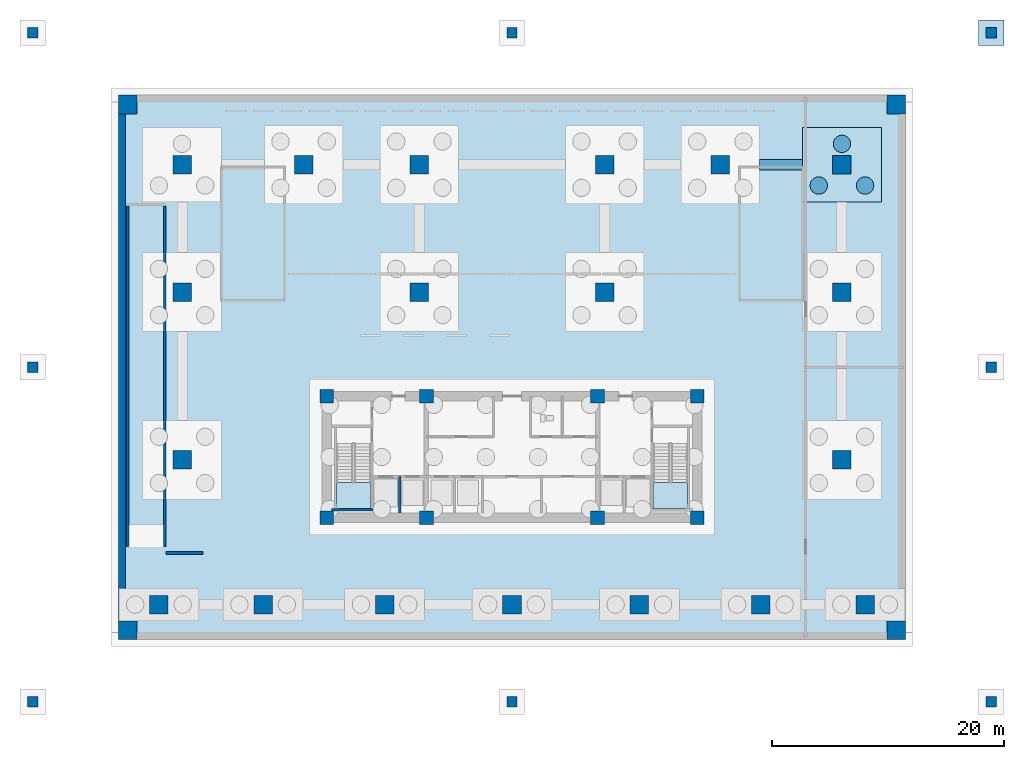
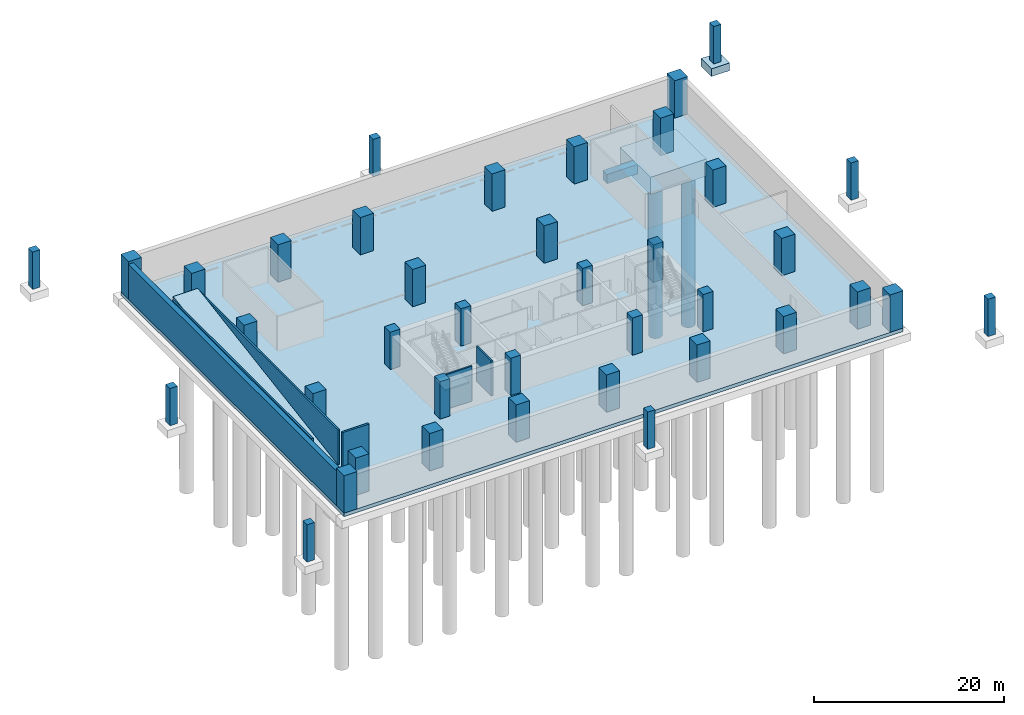
# One storey, part 2 of 8: 39 columns, 6 walls, 4 slabs, 3 footings, 3 piles, 2 elements without a shape of their own.
"""IFC4 building model written with IfcOpenShell, lengths in metres."""

from ifc_helpers import new_model, si_unit, direction, frame, frame_2d, origin, origin_2d, place, context, subcontext, project, spatial, polyline, rectangle, circle, outline, extrude, material, layer, layer_set, material_profile, profile_set, type_object, element, aggregate, save


model = new_model("IFC4")

# Units and contexts
model_context = context("Model", 3, precision=1e-05, world=origin(), true_north=direction((0.0, 1.0)))
body_context = subcontext(model_context, "Body", "Model", "MODEL_VIEW")
ifc_project = project(units=[si_unit("LENGTHUNIT", "METRE"), si_unit("AREAUNIT", "SQUARE_METRE"), si_unit("VOLUMEUNIT", "CUBIC_METRE"), si_unit("PLANEANGLEUNIT", "RADIAN"), si_unit("MASSUNIT", "GRAM", prefix="KILO")], contexts=[model_context])

# Site, building, storey
site_placement = place(None, origin())
site = spatial("IfcSite", under=ifc_project, at=site_placement, CompositionType="ELEMENT")
building_placement = place(site_placement, origin())
building = spatial("IfcBuilding", under=site, at=building_placement, Name="Solmavex Isthmus Hotel", CompositionType="ELEMENT")
storey_placement = place(building_placement, frame((0.0, 0.0, -10.0)))
storey = spatial("IfcBuildingStorey", under=building, at=storey_placement, Name="B02", CompositionType="ELEMENT", Elevation=-10.0)

# Footings
ifc_material_1 = material(Name="Concrete C50/60", Category="concrete")
ifc_layer_1 = layer(ifc_material_1, 1.0)
ifc_layer_set_1 = layer_set([ifc_layer_1], Name="Concrete C50/60")
footing_type_1 = type_object("IfcFootingType", Name="FTG-AP-2200", PredefinedType="PAD_FOOTING", material=ifc_layer_set_1)
footing_1_placement = place(storey_placement, frame((0.0, 0.0, -1.0)))
element("IfcFooting", 1, at=footing_1_placement, inside=storey, type_object=footing_type_1, Name="Plaza Pier Pad Footing AP-NE", PredefinedType="PAD_FOOTING", context=body_context, shape_type="SweptSolid", body=[
    extrude(outline(polyline([(40.300048828125, 27.800048828125), (42.5, 27.800048828125), (42.5, 30.0), (40.300048828125, 30.0), (40.300048828125, 27.800048828125)])), origin(), (0.0, 0.0, 1.0), 1.0),
])
ifc_layer_2 = layer(ifc_material_1, 2.199951171875)
ifc_layer_set_2 = layer_set([ifc_layer_2], Name="Concrete C50/60")
footing_type_2 = type_object("IfcFootingType", Name="FTG-FC-3P", PredefinedType="PILE_CAP", material=ifc_layer_set_2)
footing_2_placement = place(storey_placement, frame((0.0, 0.0, -2.64990234375)))
element("IfcFooting", 2, at=footing_2_placement, inside=storey, type_object=footing_type_2, Name="Combined Pile Cap PC-N6", PredefinedType="PILE_CAP", context=body_context, shape_type="SweptSolid", body=[
    extrude(outline(polyline([(25.10009765625, 14.300048828125), (31.89990234375, 14.300048828125), (31.89990234375, 20.699951171875), (25.10009765625, 20.699951171875), (25.10009765625, 14.300048828125)])), origin(), (0.0, 0.0, 1.0), 2.199951171875),
])
footing_type_3 = type_object("IfcFootingType", Name="FTG-GB-900X1200", PredefinedType="FOOTING_BEAM", material=ifc_material_1)
footing_3_placement = place(storey_placement, frame((21.39990234375, 17.5, -1.050048828125), z_axis=(1.0, 0.0, 0.0), x_axis=(0.0, 1.0, 0.0)))
element("IfcFooting", 3, at=footing_3_placement, inside=storey, type_object=footing_type_3, Name="Foundation Tie Beam GB-15", PredefinedType="FOOTING_BEAM", context=body_context, shape_type="SweptSolid", body=[
    extrude(rectangle(XDim=0.89990234375, YDim=1.199951171875, at=origin_2d()), origin(), (0.0, 0.0, 1.0), 3.7001953125),
])

# Piles
ifc_material_profile_1 = material_profile(ifc_material_1, circle(Radius=0.75, at=origin_2d()), Name="PILE1500")
ifc_profile_set_1 = profile_set([ifc_material_profile_1], Name="Concrete C50/60")
pile_type = type_object("IfcPileType", Name="PILE-D1500", PredefinedType="BORED", material=ifc_profile_set_1)
for number, where, z_axis, x_axis, name in (
    (4, (26.5, 15.699951171875, -2.5), (0.0, 0.0, -1.0), (1.0, 0.0, 0.0), "Bored Pile PC-N6-P01"),
    (5, (30.5, 15.699951171875, -2.5), (0.0, 0.0, -1.0), (1.0, 0.0, 0.0), "Bored Pile PC-N6-P02"),
    (6, (28.5, 19.300048828125, -2.5), (0.0, 0.0, -1.0), (1.0, 0.0, 0.0), "Bored Pile PC-N6-P03"),
):
    element("IfcPile", number, at=place(storey_placement, frame(where, z_axis=z_axis, x_axis=x_axis)), inside=storey, type_object=pile_type, Name=name, PredefinedType="BORED", context=body_context, shape_type="SweptSolid", body=[
        extrude(circle(Radius=0.75, at=origin_2d()), origin(), (0.0, 0.0, 1.0), 19.5),
    ])

# Columns
ifc_material_2 = material(Name="Concrete C70/85", Category="concrete")
ifc_material_profile_2 = material_profile(ifc_material_2, rectangle(XDim=1.199951171875, YDim=1.199951171875, at=origin_2d()), Name="RC1200X1200")
ifc_profile_set_2 = profile_set([ifc_material_profile_2], Name="Concrete C70/85")
column_type_1 = type_object("IfcColumnType", Name="COL-CC-1200", PredefinedType="COLUMN", material=ifc_profile_set_2)
for number, where, z_axis, x_axis, name in (
    (7, (-16.0, -13.0, 0.0), (0.0, 0.0, 1.0), (1.0, 0.0, 0.0), "Core Pilaster CC-SW B02"),
    (8, (-7.39990234375, -13.0, 0.0), (0.0, 0.0, 1.0), (1.0, 0.0, 0.0), "Core Pilaster CC-S1 B02"),
    (9, (7.39990234375, -13.0, 0.0), (0.0, 0.0, 1.0), (1.0, 0.0, 0.0), "Core Pilaster CC-S2 B02"),
    (10, (16.0, -13.0, 0.0), (0.0, 0.0, 1.0), (1.0, 0.0, 0.0), "Core Pilaster CC-SE B02"),
    (11, (-16.0, -2.5, 0.0), (0.0, 0.0, 1.0), (1.0, 0.0, 0.0), "Core Pilaster CC-NW B02"),
    (12, (-7.39990234375, -2.5, 0.0), (0.0, 0.0, 1.0), (1.0, 0.0, 0.0), "Core Pilaster CC-N1 B02"),
    (13, (7.39990234375, -2.5, 0.0), (0.0, 0.0, 1.0), (1.0, 0.0, 0.0), "Core Pilaster CC-N2 B02"),
    (14, (16.0, -2.5, 0.0), (0.0, 0.0, 1.0), (1.0, 0.0, 0.0), "Core Pilaster CC-NE B02"),
):
    element("IfcColumn", number, at=place(storey_placement, frame(where, z_axis=z_axis, x_axis=x_axis)), inside=storey, type_object=column_type_1, Name=name, PredefinedType="COLUMN", context=body_context, shape_type="SweptSolid", body=[
        extrude(rectangle(XDim=1.199951171875, YDim=1.199951171875, at=origin_2d()), origin(), (0.0, 0.0, 1.0), 4.800048828125),
    ])
ifc_material_profile_3 = material_profile(ifc_material_1, rectangle(XDim=0.89990234375, YDim=0.89990234375, at=origin_2d()), Name="RC900X900")
ifc_profile_set_3 = profile_set([ifc_material_profile_3], Name="Concrete C50/60")
column_type_2 = type_object("IfcColumnType", Name="COL-CC-900", PredefinedType="COLUMN", material=ifc_profile_set_3)
for number, where, z_axis, x_axis, name in (
    (15, (-41.39990234375, 28.89990234375, 0.0), (0.0, 0.0, 1.0), (1.0, 0.0, 0.0), "Plaza Support Pier AP-NW B02"),
    (16, (0.0, 28.89990234375, 0.0), (0.0, 0.0, 1.0), (1.0, 0.0, 0.0), "Plaza Support Pier AP-N0 B02"),
    (17, (41.39990234375, 28.89990234375, 0.0), (0.0, 0.0, 1.0), (1.0, 0.0, 0.0), "Plaza Support Pier AP-NE B02"),
    (18, (-41.39990234375, -28.89990234375, 0.0), (0.0, 0.0, 1.0), (1.0, 0.0, 0.0), "Plaza Support Pier AP-SW B02"),
    (19, (0.0, -28.89990234375, 0.0), (0.0, 0.0, 1.0), (1.0, 0.0, 0.0), "Plaza Support Pier AP-S0 B02"),
    (20, (41.39990234375, -28.89990234375, 0.0), (0.0, 0.0, 1.0), (1.0, 0.0, 0.0), "Plaza Support Pier AP-SE B02"),
    (21, (-41.39990234375, 0.0, 0.0), (0.0, 0.0, 1.0), (1.0, 0.0, 0.0), "Plaza Support Pier AP-W0 B02"),
    (22, (41.39990234375, 0.0, 0.0), (0.0, 0.0, 1.0), (1.0, 0.0, 0.0), "Plaza Support Pier AP-E0 B02"),
):
    element("IfcColumn", number, at=place(storey_placement, frame(where, z_axis=z_axis, x_axis=x_axis)), inside=storey, type_object=column_type_2, Name=name, PredefinedType="COLUMN", context=body_context, shape_type="SweptSolid", body=[
        extrude(rectangle(XDim=0.89990234375, YDim=0.89990234375, at=origin_2d()), origin(), (0.0, 0.0, 1.0), 4.800048828125),
    ])
ifc_material_profile_4 = material_profile(ifc_material_2, rectangle(XDim=1.60009765625, YDim=1.60009765625, at=origin_2d()), Name="RC1600X1600")
ifc_profile_set_4 = profile_set([ifc_material_profile_4], Name="Concrete C70/85")
column_type_3 = type_object("IfcColumnType", Name="COL-MC-1600", PredefinedType="COLUMN", material=ifc_profile_set_4)
for number, where, z_axis, x_axis, name in (
    (23, (-33.199951171875, -22.699951171875, 0.0), (0.0, 0.0, 1.0), (1.0, 0.0, 0.0), "Podium Mega Column MC-SW B02"),
    (24, (33.199951171875, -22.699951171875, 0.0), (0.0, 0.0, 1.0), (1.0, 0.0, 0.0), "Podium Mega Column MC-SE B02"),
    (25, (-33.199951171875, 22.699951171875, 0.0), (0.0, 0.0, 1.0), (1.0, 0.0, 0.0), "Podium Mega Column MC-NW B02"),
    (26, (33.199951171875, 22.699951171875, 0.0), (0.0, 0.0, 1.0), (1.0, 0.0, 0.0), "Podium Mega Column MC-NE B02"),
    (27, (-30.5, -20.5, 0.0), (0.0, 0.0, 1.0), (1.0, 0.0, 0.0), "Podium Mega Column MC-S1 B02"),
    (28, (-21.5, -20.5, 0.0), (0.0, 0.0, 1.0), (1.0, 0.0, 0.0), "Podium Mega Column MC-S2 B02"),
    (29, (-11.0, -20.5, 0.0), (0.0, 0.0, 1.0), (1.0, 0.0, 0.0), "Podium Mega Column MC-S3 B02"),
    (30, (0.0, -20.5, 0.0), (0.0, 0.0, 1.0), (1.0, 0.0, 0.0), "Podium Mega Column MC-S4 B02"),
    (31, (11.0, -20.5, 0.0), (0.0, 0.0, 1.0), (1.0, 0.0, 0.0), "Podium Mega Column MC-S5 B02"),
    (32, (21.5, -20.5, 0.0), (0.0, 0.0, 1.0), (1.0, 0.0, 0.0), "Podium Mega Column MC-S6 B02"),
    (33, (30.5, -20.5, 0.0), (0.0, 0.0, 1.0), (1.0, 0.0, 0.0), "Podium Mega Column MC-S7 B02"),
    (34, (-28.5, -8.0, 0.0), (0.0, 0.0, 1.0), (1.0, 0.0, 0.0), "Podium Mega Column MC-W1 B02"),
    (35, (28.5, -8.0, 0.0), (0.0, 0.0, 1.0), (1.0, 0.0, 0.0), "Podium Mega Column MC-E1 B02"),
    (36, (-28.5, 6.5, 0.0), (0.0, 0.0, 1.0), (1.0, 0.0, 0.0), "Podium Mega Column MC-M1 B02"),
    (37, (-8.0, 6.5, 0.0), (0.0, 0.0, 1.0), (1.0, 0.0, 0.0), "Podium Mega Column MC-M2 B02"),
    (38, (8.0, 6.5, 0.0), (0.0, 0.0, 1.0), (1.0, 0.0, 0.0), "Podium Mega Column MC-M3 B02"),
    (39, (28.5, 6.5, 0.0), (0.0, 0.0, 1.0), (1.0, 0.0, 0.0), "Podium Mega Column MC-M4 B02"),
    (40, (-28.5, 17.5, 0.0), (0.0, 0.0, 1.0), (1.0, 0.0, 0.0), "Podium Mega Column MC-N1 B02"),
    (41, (-18.0, 17.5, 0.0), (0.0, 0.0, 1.0), (1.0, 0.0, 0.0), "Podium Mega Column MC-N2 B02"),
    (42, (-8.0, 17.5, 0.0), (0.0, 0.0, 1.0), (1.0, 0.0, 0.0), "Podium Mega Column MC-N3 B02"),
    (43, (8.0, 17.5, 0.0), (0.0, 0.0, 1.0), (1.0, 0.0, 0.0), "Podium Mega Column MC-N4 B02"),
    (44, (18.0, 17.5, 0.0), (0.0, 0.0, 1.0), (1.0, 0.0, 0.0), "Podium Mega Column MC-N5 B02"),
    (45, (28.5, 17.5, 0.0), (0.0, 0.0, 1.0), (1.0, 0.0, 0.0), "Podium Mega Column MC-N6 B02"),
):
    element("IfcColumn", number, at=place(storey_placement, frame(where, z_axis=z_axis, x_axis=x_axis)), inside=storey, type_object=column_type_3, Name=name, PredefinedType="COLUMN", context=body_context, shape_type="SweptSolid", body=[
        extrude(rectangle(XDim=1.60009765625, YDim=1.60009765625, at=origin_2d()), origin(), (0.0, 0.0, 1.0), 4.800048828125),
    ])

# Slabs
ifc_layer_3 = layer(ifc_material_1, 0.449951171875)
ifc_layer_set_3 = layer_set([ifc_layer_3], Name="Concrete C50/60")
slab_type_1 = type_object("IfcSlabType", Name="SLAB-BASE-450", PredefinedType="BASESLAB", material=ifc_layer_set_3)
slab_1_placement = place(storey_placement, frame((0.0, 0.0, -0.449951171875)))
element("IfcSlab", 46, at=slab_1_placement, inside=storey, type_object=slab_type_1, Name="Subterranean Mat Base Slab B02", PredefinedType="BASESLAB", context=body_context, shape_type="SweptSolid", body=[
    extrude(outline(polyline([(-34.0, -23.5), (34.0, -23.5), (34.0, 23.5), (-34.0, 23.5), (-34.0, -23.5)]), holes=[polyline([(-33.110107421875, -15.5), (-30.090087890625, -15.5), (-30.090087890625, -13.719970703125), (-33.110107421875, -13.719970703125), (-33.110107421875, -15.5)])]), origin(), (0.0, 0.0, 1.0), 0.449951171875),
])
ifc_material_3 = material(Name="Concrete C40/50", Category="concrete")
ifc_layer_4 = layer(ifc_material_3, 0.280029296875)
ifc_layer_set_4 = layer_set([ifc_layer_4], Name="Concrete C40/50")
slab_type_2 = type_object("IfcSlabType", Name="SLAB-RMP-280", PredefinedType="FLOOR", material=ifc_layer_set_4)
slab_2_placement = place(storey_placement, frame((-33.10009765625, -15.514892578125, 0.0), z_axis=(0.0, -0.160443573756, 0.987045013989), x_axis=(1.0, 0.0, 0.0)))
element("IfcSlab", 47, at=slab_2_placement, inside=storey, type_object=slab_type_2, Name="Vehicular Car-Park Ramp Slab R1 (B02 to B01)", PredefinedType="FLOOR", context=body_context, shape_type="SweptSolid", body=[
    extrude(outline(polyline([(0.0, 0.0), (3.0, 0.0), (3.0, 29.917364190828494), (0.0, 29.917364190828494), (0.0, 0.0)])), origin(), (0.0, 0.0, -1.0), 0.280029296875),
])

# Stair, slab
stair_type_1 = type_object("IfcStairType", Name="STR-ST-1", PredefinedType="HALF_TURN_STAIR", material=ifc_material_3)
stair_1_placement = place(storey_placement, origin())
stair_1 = element("IfcStair", 48, at=stair_1_placement, inside=storey, type_object=stair_type_1, Name="B02 Protected Exit Stair ST-1", PredefinedType="HALF_TURN_STAIR")
ifc_layer_5 = layer(ifc_material_3, 0.219970703125)
ifc_layer_set_5 = layer_set([ifc_layer_5], Name="Concrete C40/50")
slab_type_3 = type_object("IfcSlabType", Name="SLD-ST-1", PredefinedType="LANDING", material=ifc_layer_set_5)
slab_3_placement = place(storey_placement, frame((0.0, 0.0, 2.199951171875)))
slab_3 = element("IfcSlab", 49, at=slab_3_placement, type_object=slab_type_3, Name="ST-1 landing 1", PredefinedType="LANDING", context=body_context, shape_type="SweptSolid", body=[
    extrude(outline(polyline([(-15.14990234375, -9.9599609375), (-15.14990234375, -12.199951171875), (-12.199951171875, -12.199951171875), (-12.199951171875, -9.9599609375), (-15.14990234375, -9.9599609375)])), origin(), (0.0, 0.0, 1.0), 0.199951171875),
])
aggregate(stair_1, [slab_3])

stair_type_2 = type_object("IfcStairType", Name="STR-ST-2", PredefinedType="HALF_TURN_STAIR", material=ifc_material_3)
stair_2_placement = place(storey_placement, origin())
stair_2 = element("IfcStair", 50, at=stair_2_placement, inside=storey, type_object=stair_type_2, Name="B02 Protected Exit Stair ST-2", PredefinedType="HALF_TURN_STAIR")
ifc_layer_6 = layer(ifc_material_3, 0.219970703125)
ifc_layer_set_6 = layer_set([ifc_layer_6], Name="Concrete C40/50")
slab_type_4 = type_object("IfcSlabType", Name="SLD-ST-2", PredefinedType="LANDING", material=ifc_layer_set_6)
slab_4_placement = place(storey_placement, frame((0.0, 0.0, 2.199951171875)))
slab_4 = element("IfcSlab", 51, at=slab_4_placement, type_object=slab_type_4, Name="ST-2 landing 1", PredefinedType="LANDING", context=body_context, shape_type="SweptSolid", body=[
    extrude(outline(polyline([(12.199951171875, -9.9599609375), (12.199951171875, -12.199951171875), (15.14990234375, -12.199951171875), (15.14990234375, -9.9599609375), (12.199951171875, -9.9599609375)])), origin(), (0.0, 0.0, 1.0), 0.199951171875),
])
aggregate(stair_2, [slab_4])

# Walls
ifc_layer_7 = layer(ifc_material_3, 0.199951171875)
ifc_layer_set_7 = layer_set([ifc_layer_7], Name="Concrete C40/50")
wall_type_1 = type_object("IfcWallType", Name="IW-SHAFT-200", PredefinedType="PARTITIONING", material=ifc_layer_set_7)
wall_1_placement = place(storey_placement, frame((-9.699951171875, -12.60009765625, 0.0), z_axis=(0.0, 0.0, 1.0), x_axis=(0.0, 1.0, 0.0)))
element("IfcWall", 52, at=wall_1_placement, inside=storey, type_object=wall_type_1, Name="Interior Partition Wall W-B02-FFLW-M", PredefinedType="PARTITIONING", context=body_context, shape_type="SweptSolid", body=[
    extrude(rectangle(XDim=3.150146484375, YDim=0.199951171875, at=frame_2d((1.5751953125, 0.0))), origin(), (0.0, 0.0, 1.0), 4.47998046875),
])
ifc_layer_8 = layer(ifc_material_1, 0.60009765625)
ifc_layer_set_8 = layer_set([ifc_layer_8], Name="Concrete C50/60")
wall_type_2 = type_object("IfcWallType", Name="WALL-RET-600", PredefinedType="SOLIDWALL", material=ifc_layer_set_8)
wall_2_placement = place(storey_placement, frame((-33.699951171875, -22.89990234375, 0.0), z_axis=(0.0, 0.0, 1.0), x_axis=(0.0, 1.0, 0.0)))
element("IfcWall", 53, at=wall_2_placement, inside=storey, type_object=wall_type_2, Name="Basement Retaining Wall West B02", PredefinedType="SOLIDWALL", context=body_context, shape_type="SweptSolid", body=[
    extrude(rectangle(XDim=45.7998046875, YDim=0.60009765625, at=frame_2d((22.89990234375, 0.0))), origin(), (0.0, 0.0, 1.0), 4.47998046875),
])
ifc_layer_9 = layer(ifc_material_3, 0.199951171875)
ifc_layer_set_9 = layer_set([ifc_layer_9], Name="Concrete C40/50")
wall_type_3 = type_object("IfcWallType", Name="WALL-SW-200", PredefinedType="SOLIDWALL", material=ifc_layer_set_9)
wall_3_placement = place(storey_placement, frame((-15.60009765625, -12.300048828125, 0.0), z_axis=(0.0, 0.0, 1.0), x_axis=(1.0, 0.0, 0.0)))
element("IfcWall", 54, at=wall_3_placement, inside=storey, type_object=wall_type_3, Name="Stairwell Structural Wall SW-B02-ST1-S", PredefinedType="SOLIDWALL", context=body_context, shape_type="SweptSolid", body=[
    extrude(rectangle(XDim=3.60009765625, YDim=0.199951171875, at=frame_2d((1.800048828125, 0.0))), origin(), (0.0, 0.0, 1.0), 4.47998046875),
])
for number, where, z_axis, x_axis, name in (
    (55, (-33.199951171875, -15.5, 0.0), (0.0, 0.0, 1.0), (0.0, 1.0, 0.0), "Ramp Flight R1 West Side Wall B02"),
    (56, (-30.0, -15.5, 0.0), (0.0, 0.0, 1.0), (0.0, 1.0, 0.0), "Ramp Flight R1 East Side Wall B02"),
):
    element("IfcWall", number, at=place(storey_placement, frame(where, z_axis=z_axis, x_axis=x_axis)), inside=storey, type_object=wall_type_3, Name=name, PredefinedType="SOLIDWALL", context=body_context, shape_type="SweptSolid", body=[
        extrude(rectangle(XDim=29.419921875, YDim=0.199951171875, at=frame_2d((14.7099609375, 0.0))), origin(), (0.0, 0.0, 1.0), 4.47998046875),
    ])
ifc_layer_10 = layer(ifc_material_3, 0.25)
ifc_layer_set_10 = layer_set([ifc_layer_10], Name="Concrete C40/50")
wall_type_4 = type_object("IfcWallType", Name="WALL-SW-250", PredefinedType="SOLIDWALL", material=ifc_layer_set_10)
wall_4_placement = place(storey_placement, frame((-29.89990234375, -16.050048828125, 0.0), z_axis=(0.0, 0.0, 1.0), x_axis=(1.0, 0.0, 0.0)))
element("IfcWall", 57, at=wall_4_placement, inside=storey, type_object=wall_type_4, Name="Ramp Flight R2 Bottom Bearing Wall B02", PredefinedType="SOLIDWALL", context=body_context, shape_type="SweptSolid", body=[
    extrude(rectangle(XDim=3.199951171875, YDim=0.25, at=frame_2d((1.60009765625, 0.0))), origin(), (0.0, 0.0, 1.0), 4.47998046875),
])

save(model, "model.ifc")
